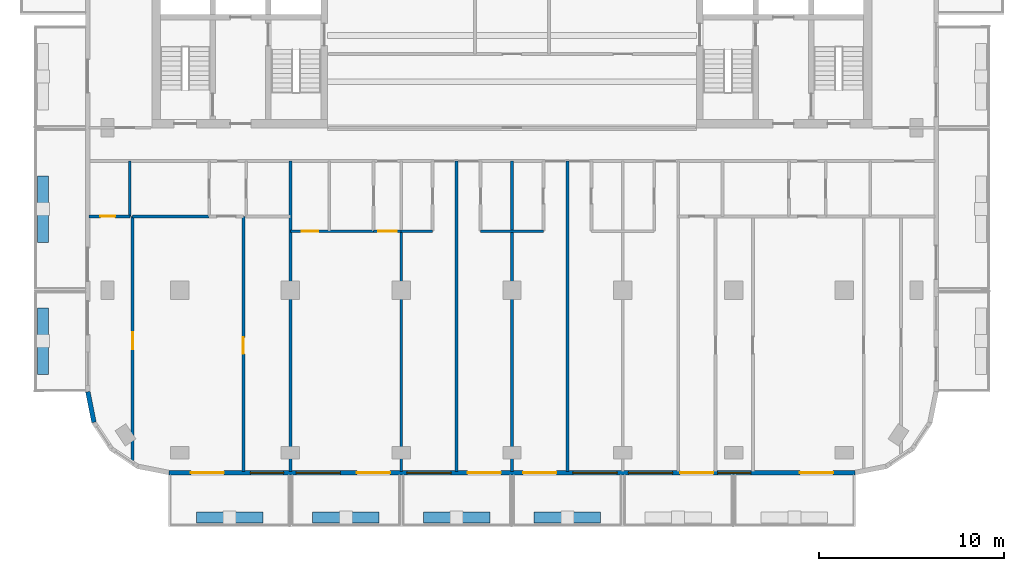
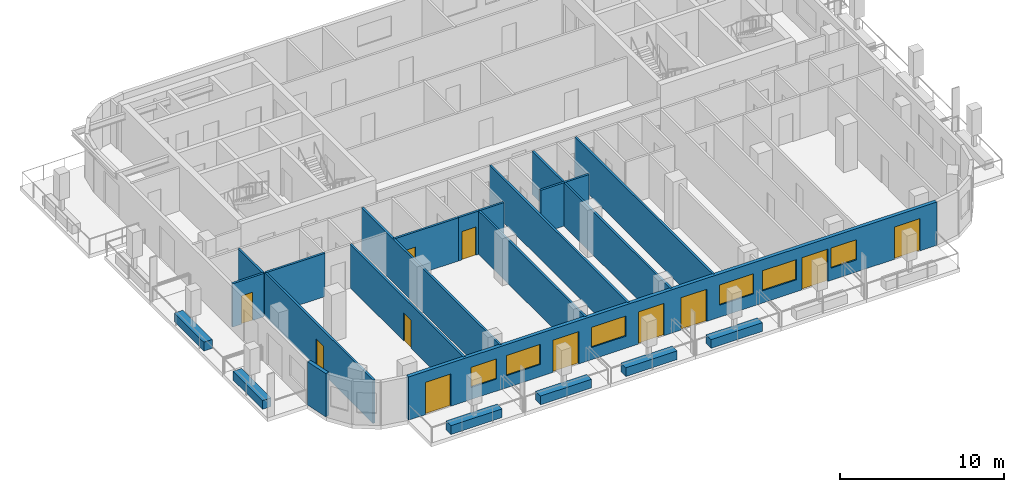
# One storey, part 2 of 11: 22 walls, 11 doors, 6 windows, 17 openings.
"""IFC4 building model written with IfcOpenShell, lengths in metres."""

from ifc_helpers import new_model, si_unit, direction, frame, frame_2d, origin, place, context, subcontext, project, spatial, rectangle, extrude, material, layer, layer_set, type_object, element, fill, save


model = new_model("IFC4")

# Units and contexts
model_context = context("Model", 3, precision=1e-05, world=origin(), true_north=direction((0.0, 1.0)))
body_context = subcontext(model_context, "Body", "Model", "MODEL_VIEW")
ifc_project = project(units=[si_unit("LENGTHUNIT", "METRE"), si_unit("AREAUNIT", "SQUARE_METRE"), si_unit("VOLUMEUNIT", "CUBIC_METRE"), si_unit("PLANEANGLEUNIT", "RADIAN"), si_unit("MASSUNIT", "GRAM", prefix="KILO")], contexts=[model_context])

# Site, building, storey
site_placement = place(None, origin())
site = spatial("IfcSite", under=ifc_project, at=site_placement, CompositionType="ELEMENT")
building_placement = place(site_placement, origin())
building = spatial("IfcBuilding", under=site, at=building_placement, Name="Torana Hotel and Residences", CompositionType="ELEMENT")
storey_placement = place(building_placement, frame((0.0, 0.0, 259.60009765625)))
storey = spatial("IfcBuildingStorey", under=building, at=storey_placement, Name="L68", CompositionType="ELEMENT", Elevation=259.60009765625)

# Wall
ifc_material_1 = material(Name="Black aluminium composite panel", Category="aluminium")
ifc_layer_1 = layer(ifc_material_1, 0.00390625, Name="Cladding", Category="cladding")
ifc_material_2 = material(Name="Ventilated air cavity")
ifc_layer_2 = layer(ifc_material_2, 0.0400390625, Name="Ventilated cavity", Category="cavity")
ifc_material_3 = material(Name="Mineral wool insulation")
ifc_layer_3 = layer(ifc_material_3, 0.090087890625, Name="Insulation", Category="insulation")
ifc_material_4 = material(Name="Steel S280GD", Category="steel")
ifc_layer_4 = layer(ifc_material_4, 0.092041015625, Name="Steel stud frame", Category="structure")
ifc_material_5 = material(Name="Fire rated plasterboard")
ifc_layer_5 = layer(ifc_material_5, 0.011962890625, Name="Inner board", Category="finish")
ifc_layer_6 = layer(ifc_material_5, 0.011962890625, Name="Second board", Category="finish")
ifc_layer_set_1 = layer_set([ifc_layer_1, ifc_layer_2, ifc_layer_3, ifc_layer_4, ifc_layer_5, ifc_layer_6], Name="EW1 EXTERNAL WALL BLACK METAL CLAD 250")
wall_type_1 = type_object("IfcWallType", Name="EW1 EXTERNAL WALL BLACK METAL CLAD 250", PredefinedType="SOLIDWALL", material=ifc_layer_set_1)
wall_1_placement = place(storey_placement, frame((-22.97265625, -29.2998046875, 0.0), z_axis=(0.0, 0.0, 1.0), x_axis=(0.19513878023, -0.980775640221, 0.0)))
element("IfcWall", 1, at=wall_1_placement, inside=storey, type_object=wall_type_1, Name="External wall L68 e0.10", PredefinedType="SOLIDWALL", context=body_context, shape_type="SweptSolid", body=[
    extrude(rectangle(XDim=1.681396484375, YDim=0.25, at=frame_2d((0.8408203125, 0.0))), origin(), (0.0, 0.0, 1.0), 3.219970703125),
])

# Wall, openings, doors, windows
wall_2_placement = place(storey_placement, frame((-18.575439453125, -33.675048828125, 0.0), z_axis=(0.0, 0.0, 1.0), x_axis=(1.0, 0.0, 0.0)))
wall_2 = element("IfcWall", 2, at=wall_2_placement, inside=storey, type_object=wall_type_1, Name="External wall L68 e0.14", PredefinedType="SOLIDWALL", context=body_context, shape_type="SweptSolid", body=[
    extrude(rectangle(XDim=37.15087890625, YDim=0.25, at=frame_2d((18.575439453125, 0.0))), origin(), (0.0, 0.0, 1.0), 3.219970703125),
])
opening_1_placement = place(wall_2_placement, frame((1.17529296875, 0.0, 0.0)))
opening_1 = element("IfcOpeningElement", 3, at=opening_1_placement, cuts=wall_2, Name="Opening L68-E01", PredefinedType="OPENING", context=body_context, shape_type="SweptSolid", body=[
    extrude(rectangle(XDim=1.800048828125, YDim=2.39990234375, at=frame_2d((0.89990234375, 1.199951171875))), frame((0.0, 0.135009765625, 0.0), z_axis=(0.0, -1.0, 0.0), x_axis=(1.0, 0.0, 0.0)), (0.0, 0.0, 1.0), 0.27001953125),
])
opening_2_placement = place(wall_2_placement, frame((4.400390625, 0.0, 0.89990234375)))
opening_2 = element("IfcOpeningElement", 4, at=opening_2_placement, cuts=wall_2, Name="Opening W4", PredefinedType="OPENING", context=body_context, shape_type="SweptSolid", body=[
    extrude(rectangle(XDim=1.800048828125, YDim=1.5, at=frame_2d((0.89990234375, 0.75))), frame((0.0, 0.135009765625, 0.0), z_axis=(0.0, -1.0, 0.0), x_axis=(1.0, 0.0, 0.0)), (0.0, 0.0, 1.0), 0.27001953125),
])
opening_3_placement = place(wall_2_placement, frame((6.87548828125, 0.0, 0.89990234375)))
opening_3 = element("IfcOpeningElement", 5, at=opening_3_placement, cuts=wall_2, Name="Opening W3", PredefinedType="OPENING", context=body_context, shape_type="SweptSolid", body=[
    extrude(rectangle(XDim=2.39990234375, YDim=1.5, at=frame_2d((1.199951171875, 0.75))), frame((0.0, 0.135009765625, 0.0), z_axis=(0.0, -1.0, 0.0), x_axis=(1.0, 0.0, 0.0)), (0.0, 0.0, 1.0), 0.27001953125),
])
opening_4_placement = place(wall_2_placement, frame((10.17529296875, 0.0, 0.0)))
opening_4 = element("IfcOpeningElement", 6, at=opening_4_placement, cuts=wall_2, Name="Opening L68-E02", PredefinedType="OPENING", context=body_context, shape_type="SweptSolid", body=[
    extrude(rectangle(XDim=1.800048828125, YDim=2.39990234375, at=frame_2d((0.89990234375, 1.199951171875))), frame((0.0, 0.135009765625, 0.0), z_axis=(0.0, -1.0, 0.0), x_axis=(1.0, 0.0, 0.0)), (0.0, 0.0, 1.0), 0.27001953125),
])
opening_5_placement = place(wall_2_placement, frame((12.87548828125, 0.0, 0.89990234375)))
opening_5 = element("IfcOpeningElement", 7, at=opening_5_placement, cuts=wall_2, Name="Opening W3", PredefinedType="OPENING", context=body_context, shape_type="SweptSolid", body=[
    extrude(rectangle(XDim=2.39990234375, YDim=1.5, at=frame_2d((1.199951171875, 0.75))), frame((0.0, 0.135009765625, 0.0), z_axis=(0.0, -1.0, 0.0), x_axis=(1.0, 0.0, 0.0)), (0.0, 0.0, 1.0), 0.27001953125),
])
opening_6_placement = place(wall_2_placement, frame((16.17529296875, 0.0, 0.0)))
opening_6 = element("IfcOpeningElement", 8, at=opening_6_placement, cuts=wall_2, Name="Opening L68-E03", PredefinedType="OPENING", context=body_context, shape_type="SweptSolid", body=[
    extrude(rectangle(XDim=1.800048828125, YDim=2.39990234375, at=frame_2d((0.89990234375, 1.199951171875))), frame((0.0, 0.135009765625, 0.0), z_axis=(0.0, -1.0, 0.0), x_axis=(1.0, 0.0, 0.0)), (0.0, 0.0, 1.0), 0.27001953125),
])
opening_7_placement = place(wall_2_placement, frame((19.17529296875, 0.0, 0.0)))
opening_7 = element("IfcOpeningElement", 9, at=opening_7_placement, cuts=wall_2, Name="Opening L68-E04", PredefinedType="OPENING", context=body_context, shape_type="SweptSolid", body=[
    extrude(rectangle(XDim=1.800048828125, YDim=2.39990234375, at=frame_2d((0.89990234375, 1.199951171875))), frame((0.0, 0.135009765625, 0.0), z_axis=(0.0, -1.0, 0.0), x_axis=(1.0, 0.0, 0.0)), (0.0, 0.0, 1.0), 0.27001953125),
])
opening_8_placement = place(wall_2_placement, frame((21.87548828125, 0.0, 0.89990234375)))
opening_8 = element("IfcOpeningElement", 10, at=opening_8_placement, cuts=wall_2, Name="Opening W3", PredefinedType="OPENING", context=body_context, shape_type="SweptSolid", body=[
    extrude(rectangle(XDim=2.39990234375, YDim=1.5, at=frame_2d((1.199951171875, 0.75))), frame((0.0, 0.135009765625, 0.0), z_axis=(0.0, -1.0, 0.0), x_axis=(1.0, 0.0, 0.0)), (0.0, 0.0, 1.0), 0.27001953125),
])
opening_9_placement = place(wall_2_placement, frame((24.87548828125, 0.0, 0.89990234375)))
opening_9 = element("IfcOpeningElement", 11, at=opening_9_placement, cuts=wall_2, Name="Opening W3", PredefinedType="OPENING", context=body_context, shape_type="SweptSolid", body=[
    extrude(rectangle(XDim=2.39990234375, YDim=1.5, at=frame_2d((1.199951171875, 0.75))), frame((0.0, 0.135009765625, 0.0), z_axis=(0.0, -1.0, 0.0), x_axis=(1.0, 0.0, 0.0)), (0.0, 0.0, 1.0), 0.27001953125),
])
opening_10_placement = place(wall_2_placement, frame((27.6875, 0.0, 0.0)))
opening_10 = element("IfcOpeningElement", 12, at=opening_10_placement, cuts=wall_2, Name="Opening L68-E05", PredefinedType="OPENING", context=body_context, shape_type="SweptSolid", body=[
    extrude(rectangle(XDim=1.800048828125, YDim=2.39990234375, at=frame_2d((0.89990234375, 1.199951171875))), frame((0.0, 0.135009765625, 0.0), z_axis=(0.0, -1.0, 0.0), x_axis=(1.0, 0.0, 0.0)), (0.0, 0.0, 1.0), 0.27001953125),
])
opening_11_placement = place(wall_2_placement, frame((29.71337890625, 0.0, 0.89990234375)))
opening_11 = element("IfcOpeningElement", 13, at=opening_11_placement, cuts=wall_2, Name="Opening W4", PredefinedType="OPENING", context=body_context, shape_type="SweptSolid", body=[
    extrude(rectangle(XDim=1.800048828125, YDim=1.5, at=frame_2d((0.89990234375, 0.75))), frame((0.0, 0.135009765625, 0.0), z_axis=(0.0, -1.0, 0.0), x_axis=(1.0, 0.0, 0.0)), (0.0, 0.0, 1.0), 0.27001953125),
])
opening_12_placement = place(wall_2_placement, frame((34.17529296875, 0.0, 0.0)))
opening_12 = element("IfcOpeningElement", 14, at=opening_12_placement, cuts=wall_2, Name="Opening L68-E06", PredefinedType="OPENING", context=body_context, shape_type="SweptSolid", body=[
    extrude(rectangle(XDim=1.800048828125, YDim=2.39990234375, at=frame_2d((0.89990234375, 1.199951171875))), frame((0.0, 0.135009765625, 0.0), z_axis=(0.0, -1.0, 0.0), x_axis=(1.0, 0.0, 0.0)), (0.0, 0.0, 1.0), 0.27001953125),
])
ifc_material_6 = material(Name="Dark glass in black aluminium frame", Category="aluminium")
door_type_1 = type_object("IfcDoorType", Name="DB1 BALCONY DOOR 1800x2400", OperationType="DOUBLE_DOOR_SINGLE_SWING", PredefinedType="DOOR", material=ifc_material_6)
door_1_placement = place(opening_1_placement, origin())
door_1 = element("IfcDoor", 15, at=door_1_placement, inside=storey, type_object=door_type_1, Name="Balcony door L68", OperationType="DOUBLE_DOOR_SINGLE_SWING", OverallHeight=2.39990234375, OverallWidth=1.800048828125, PredefinedType="DOOR", context=body_context, shape_type="SweptSolid", body=[
    extrude(rectangle(XDim=1.800048828125, YDim=2.39990234375, at=frame_2d((0.89990234375, 1.199951171875))), frame((0.0, 0.02490234375, 0.0), z_axis=(0.0, -1.0, 0.0), x_axis=(1.0, 0.0, 0.0)), (0.0, 0.0, 1.0), 0.050048828125),
])
fill(opening_1, door_1)
door_2_placement = place(opening_4_placement, origin())
door_2 = element("IfcDoor", 16, at=door_2_placement, inside=storey, type_object=door_type_1, Name="Balcony door L68", OperationType="DOUBLE_DOOR_SINGLE_SWING", OverallHeight=2.39990234375, OverallWidth=1.800048828125, PredefinedType="DOOR", context=body_context, shape_type="SweptSolid", body=[
    extrude(rectangle(XDim=1.800048828125, YDim=2.39990234375, at=frame_2d((0.89990234375, 1.199951171875))), frame((0.0, 0.02490234375, 0.0), z_axis=(0.0, -1.0, 0.0), x_axis=(1.0, 0.0, 0.0)), (0.0, 0.0, 1.0), 0.050048828125),
])
fill(opening_4, door_2)
door_3_placement = place(opening_6_placement, origin())
door_3 = element("IfcDoor", 17, at=door_3_placement, inside=storey, type_object=door_type_1, Name="Balcony door L68", OperationType="DOUBLE_DOOR_SINGLE_SWING", OverallHeight=2.39990234375, OverallWidth=1.800048828125, PredefinedType="DOOR", context=body_context, shape_type="SweptSolid", body=[
    extrude(rectangle(XDim=1.800048828125, YDim=2.39990234375, at=frame_2d((0.89990234375, 1.199951171875))), frame((0.0, 0.02490234375, 0.0), z_axis=(0.0, -1.0, 0.0), x_axis=(1.0, 0.0, 0.0)), (0.0, 0.0, 1.0), 0.050048828125),
])
fill(opening_6, door_3)
door_4_placement = place(opening_7_placement, origin())
door_4 = element("IfcDoor", 18, at=door_4_placement, inside=storey, type_object=door_type_1, Name="Balcony door L68", OperationType="DOUBLE_DOOR_SINGLE_SWING", OverallHeight=2.39990234375, OverallWidth=1.800048828125, PredefinedType="DOOR", context=body_context, shape_type="SweptSolid", body=[
    extrude(rectangle(XDim=1.800048828125, YDim=2.39990234375, at=frame_2d((0.89990234375, 1.199951171875))), frame((0.0, 0.02490234375, 0.0), z_axis=(0.0, -1.0, 0.0), x_axis=(1.0, 0.0, 0.0)), (0.0, 0.0, 1.0), 0.050048828125),
])
fill(opening_7, door_4)
door_5_placement = place(opening_10_placement, origin())
door_5 = element("IfcDoor", 19, at=door_5_placement, inside=storey, type_object=door_type_1, Name="Balcony door L68", OperationType="DOUBLE_DOOR_SINGLE_SWING", OverallHeight=2.39990234375, OverallWidth=1.800048828125, PredefinedType="DOOR", context=body_context, shape_type="SweptSolid", body=[
    extrude(rectangle(XDim=1.800048828125, YDim=2.39990234375, at=frame_2d((0.89990234375, 1.199951171875))), frame((0.0, 0.02490234375, 0.0), z_axis=(0.0, -1.0, 0.0), x_axis=(1.0, 0.0, 0.0)), (0.0, 0.0, 1.0), 0.050048828125),
])
fill(opening_10, door_5)
door_6_placement = place(opening_12_placement, origin())
door_6 = element("IfcDoor", 20, at=door_6_placement, inside=storey, type_object=door_type_1, Name="Balcony door L68", OperationType="DOUBLE_DOOR_SINGLE_SWING", OverallHeight=2.39990234375, OverallWidth=1.800048828125, PredefinedType="DOOR", context=body_context, shape_type="SweptSolid", body=[
    extrude(rectangle(XDim=1.800048828125, YDim=2.39990234375, at=frame_2d((0.89990234375, 1.199951171875))), frame((0.0, 0.02490234375, 0.0), z_axis=(0.0, -1.0, 0.0), x_axis=(1.0, 0.0, 0.0)), (0.0, 0.0, 1.0), 0.050048828125),
])
fill(opening_12, door_6)
ifc_material_7 = material(Name="Dark glass in black aluminium frame", Category="aluminium")
window_type_1 = type_object("IfcWindowType", Name="W3 RESIDENCE WINDOW 2400x1500", PartitioningType="SINGLE_PANEL", PredefinedType="WINDOW", material=ifc_material_7)
window_1_placement = place(opening_3_placement, origin())
window_1 = element("IfcWindow", 21, at=window_1_placement, inside=storey, type_object=window_type_1, Name="Window L68", OverallHeight=1.5, OverallWidth=2.39990234375, PartitioningType="SINGLE_PANEL", PredefinedType="WINDOW", context=body_context, shape_type="SweptSolid", body=[
    extrude(rectangle(XDim=2.39990234375, YDim=1.5, at=frame_2d((1.199951171875, 0.75))), frame((0.0, 0.030029296875, 0.0), z_axis=(0.0, -1.0, 0.0), x_axis=(1.0, 0.0, 0.0)), (0.0, 0.0, 1.0), 0.06005859375),
])
fill(opening_3, window_1)
window_2_placement = place(opening_5_placement, origin())
window_2 = element("IfcWindow", 22, at=window_2_placement, inside=storey, type_object=window_type_1, Name="Window L68", OverallHeight=1.5, OverallWidth=2.39990234375, PartitioningType="SINGLE_PANEL", PredefinedType="WINDOW", context=body_context, shape_type="SweptSolid", body=[
    extrude(rectangle(XDim=2.39990234375, YDim=1.5, at=frame_2d((1.199951171875, 0.75))), frame((0.0, 0.030029296875, 0.0), z_axis=(0.0, -1.0, 0.0), x_axis=(1.0, 0.0, 0.0)), (0.0, 0.0, 1.0), 0.06005859375),
])
fill(opening_5, window_2)
window_3_placement = place(opening_8_placement, origin())
window_3 = element("IfcWindow", 23, at=window_3_placement, inside=storey, type_object=window_type_1, Name="Window L68", OverallHeight=1.5, OverallWidth=2.39990234375, PartitioningType="SINGLE_PANEL", PredefinedType="WINDOW", context=body_context, shape_type="SweptSolid", body=[
    extrude(rectangle(XDim=2.39990234375, YDim=1.5, at=frame_2d((1.199951171875, 0.75))), frame((0.0, 0.030029296875, 0.0), z_axis=(0.0, -1.0, 0.0), x_axis=(1.0, 0.0, 0.0)), (0.0, 0.0, 1.0), 0.06005859375),
])
fill(opening_8, window_3)
window_4_placement = place(opening_9_placement, origin())
window_4 = element("IfcWindow", 24, at=window_4_placement, inside=storey, type_object=window_type_1, Name="Window L68", OverallHeight=1.5, OverallWidth=2.39990234375, PartitioningType="SINGLE_PANEL", PredefinedType="WINDOW", context=body_context, shape_type="SweptSolid", body=[
    extrude(rectangle(XDim=2.39990234375, YDim=1.5, at=frame_2d((1.199951171875, 0.75))), frame((0.0, 0.030029296875, 0.0), z_axis=(0.0, -1.0, 0.0), x_axis=(1.0, 0.0, 0.0)), (0.0, 0.0, 1.0), 0.06005859375),
])
fill(opening_9, window_4)
ifc_material_8 = material(Name="Dark glass in black aluminium frame", Category="aluminium")
window_type_2 = type_object("IfcWindowType", Name="W4 RESIDENCE WINDOW NARROW 1800x1500", PartitioningType="SINGLE_PANEL", PredefinedType="WINDOW", material=ifc_material_8)
window_5_placement = place(opening_2_placement, origin())
window_5 = element("IfcWindow", 25, at=window_5_placement, inside=storey, type_object=window_type_2, Name="Window L68", OverallHeight=1.5, OverallWidth=1.800048828125, PartitioningType="SINGLE_PANEL", PredefinedType="WINDOW", context=body_context, shape_type="SweptSolid", body=[
    extrude(rectangle(XDim=1.800048828125, YDim=1.5, at=frame_2d((0.89990234375, 0.75))), frame((0.0, 0.030029296875, 0.0), z_axis=(0.0, -1.0, 0.0), x_axis=(1.0, 0.0, 0.0)), (0.0, 0.0, 1.0), 0.06005859375),
])
fill(opening_2, window_5)
window_6_placement = place(opening_11_placement, origin())
window_6 = element("IfcWindow", 26, at=window_6_placement, inside=storey, type_object=window_type_2, Name="Window L68", OverallHeight=1.5, OverallWidth=1.800048828125, PartitioningType="SINGLE_PANEL", PredefinedType="WINDOW", context=body_context, shape_type="SweptSolid", body=[
    extrude(rectangle(XDim=1.800048828125, YDim=1.5, at=frame_2d((0.89990234375, 0.75))), frame((0.0, 0.030029296875, 0.0), z_axis=(0.0, -1.0, 0.0), x_axis=(1.0, 0.0, 0.0)), (0.0, 0.0, 1.0), 0.06005859375),
])
fill(opening_11, window_6)

# Wall, opening, door
ifc_material_9 = material(Name="Gypsum plaster")
ifc_layer_7 = layer(ifc_material_9, 0.014892578125, Name="Plaster", Category="finish")
ifc_material_10 = material(Name="Concrete blockwork", Category="masonry")
ifc_layer_8 = layer(ifc_material_10, 0.1201171875, Name="Blockwork", Category="structure")
ifc_layer_9 = layer(ifc_material_9, 0.014892578125, Name="Plaster", Category="finish")
ifc_layer_set_2 = layer_set([ifc_layer_7, ifc_layer_8, ifc_layer_9], Name="FIRE PARTITION 150 BLOCKWORK")
wall_type_2 = type_object("IfcWallType", Name="FIRE PARTITION 150 BLOCKWORK", PredefinedType="PARTITIONING", material=ifc_layer_set_2)
wall_3_placement = place(storey_placement, frame((-7.5, -20.60009765625, 0.0), z_axis=(0.0, 0.0, 1.0), x_axis=(1.0, 0.0, 0.0)))
wall_3 = element("IfcWall", 27, at=wall_3_placement, inside=storey, type_object=wall_type_2, Name="Partition L68", PredefinedType="PARTITIONING", context=body_context, shape_type="SweptSolid", body=[
    extrude(rectangle(XDim=1.5, YDim=0.14990234375, at=frame_2d((0.75, 0.0))), origin(), (0.0, 0.0, 1.0), 3.219970703125),
])
opening_13_placement = place(wall_3_placement, frame((0.25, 0.0, 0.0)))
opening_13 = element("IfcOpeningElement", 28, at=opening_13_placement, cuts=wall_3, Name="Opening L68-41", PredefinedType="OPENING", context=body_context, shape_type="SweptSolid", body=[
    extrude(rectangle(XDim=1.0, YDim=2.10009765625, at=frame_2d((0.5, 1.050048828125))), frame((0.0, 0.0849609375, 0.0), z_axis=(0.0, -1.0, 0.0), x_axis=(1.0, 0.0, 0.0)), (0.0, 0.0, 1.0), 0.169921875),
])
ifc_material_11 = material(Name="Steel S235", Category="steel")
door_type_2 = type_object("IfcDoorType", Name="ENTRY FIRE DOOR D6 1000x2100", OperationType="SINGLE_SWING_LEFT", PredefinedType="DOOR", material=ifc_material_11)
door_7_placement = place(opening_13_placement, frame((0.5, 0.0, 0.0), z_axis=(0.0, 0.0, 1.0), x_axis=(-1.0, 0.0, 0.0)))
door_7 = element("IfcDoor", 29, at=door_7_placement, inside=storey, type_object=door_type_2, Name="Door L68", OperationType="SINGLE_SWING_RIGHT", OverallHeight=2.10009765625, OverallWidth=1.0, PredefinedType="DOOR", context=body_context, shape_type="SweptSolid", body=[
    extrude(rectangle(XDim=1.0, YDim=2.10009765625, at=frame_2d((0.0, 1.050048828125))), frame((0.0, -0.02490234375, 0.0), z_axis=(0.0, 1.0, 0.0), x_axis=(-1.0, 0.0, 0.0)), (0.0, 0.0, 1.0), 0.050048828125),
])
fill(opening_13, door_7)

# Walls
ifc_material_12 = material(Name="Gypsum plasterboard")
ifc_layer_10 = layer(ifc_material_12, 0.012451171875, Name="Plasterboard", Category="finish")
ifc_layer_11 = layer(ifc_material_12, 0.012451171875, Name="Plasterboard", Category="finish")
ifc_layer_12 = layer(ifc_material_4, 0.10009765625, Name="Steel studs with mineral wool", Category="insulation")
ifc_layer_13 = layer(ifc_material_12, 0.012451171875, Name="Plasterboard", Category="finish")
ifc_layer_14 = layer(ifc_material_12, 0.012451171875, Name="Plasterboard", Category="finish")
ifc_layer_set_3 = layer_set([ifc_layer_10, ifc_layer_11, ifc_layer_12, ifc_layer_13, ifc_layer_14], Name="PARTITION 150 PLASTERBOARD")
wall_type_3 = type_object("IfcWallType", Name="PARTITION 150 PLASTERBOARD", PredefinedType="PARTITIONING", material=ifc_layer_set_3)
for number, where, z_axis, x_axis, name in (
    (30, (3.0, -33.6201171875, 0.0), (0.0, 0.0, 1.0), (0.0, 1.0, 0.0), "Partition L68"),
    (31, (0.0, -33.6201171875, 0.0), (0.0, 0.0, 1.0), (0.0, 1.0, 0.0), "Partition L68"),
    (32, (-3.0, -33.6201171875, 0.0), (0.0, 0.0, 1.0), (0.0, 1.0, 0.0), "Partition L68"),
):
    element("IfcWall", number, at=place(storey_placement, frame(where, z_axis=z_axis, x_axis=x_axis)), inside=storey, type_object=wall_type_3, Name=name, PredefinedType="PARTITIONING", context=body_context, shape_type="SweptSolid", body=[
        extrude(rectangle(XDim=16.820068359375, YDim=0.14990234375, at=frame_2d((8.41015625, 0.0))), origin(), (0.0, 0.0, 1.0), 3.219970703125),
    ])
wall_4_placement = place(storey_placement, frame((-6.0, -33.6201171875, 0.0), z_axis=(0.0, 0.0, 1.0), x_axis=(0.0, 1.0, 0.0)))
element("IfcWall", 33, at=wall_4_placement, inside=storey, type_object=wall_type_3, Name="Partition L68", PredefinedType="PARTITIONING", context=body_context, shape_type="SweptSolid", body=[
    extrude(rectangle(XDim=13.02001953125, YDim=0.14990234375, at=frame_2d((6.510009765625, 0.0))), origin(), (0.0, 0.0, 1.0), 3.219970703125),
])
wall_5_placement = place(storey_placement, frame((-12.0, -33.6201171875, 0.0), z_axis=(0.0, 0.0, 1.0), x_axis=(0.0, 1.0, 0.0)))
element("IfcWall", 34, at=wall_5_placement, inside=storey, type_object=wall_type_3, Name="Partition L68", PredefinedType="PARTITIONING", context=body_context, shape_type="SweptSolid", body=[
    extrude(rectangle(XDim=16.820068359375, YDim=0.14990234375, at=frame_2d((8.41015625, 0.0))), origin(), (0.0, 0.0, 1.0), 3.219970703125),
])

# Wall, opening, door
wall_6_placement = place(storey_placement, frame((-14.550048828125, -33.6201171875, 0.0), z_axis=(0.0, 0.0, 1.0), x_axis=(0.0, 1.0, 0.0)))
wall_6 = element("IfcWall", 35, at=wall_6_placement, inside=storey, type_object=wall_type_3, Name="Partition L68", PredefinedType="PARTITIONING", context=body_context, shape_type="SweptSolid", body=[
    extrude(rectangle(XDim=13.820068359375, YDim=0.14990234375, at=frame_2d((6.91015625, 0.0))), origin(), (0.0, 0.0, 1.0), 3.219970703125),
])
opening_14_placement = place(wall_6_placement, frame((6.3701171875, 0.0, 0.0)))
opening_14 = element("IfcOpeningElement", 36, at=opening_14_placement, cuts=wall_6, Name="Opening L68-51", PredefinedType="OPENING", context=body_context, shape_type="SweptSolid", body=[
    extrude(rectangle(XDim=0.89990234375, YDim=2.10009765625, at=frame_2d((0.449951171875, 1.050048828125))), frame((0.0, 0.0849609375, 0.0), z_axis=(0.0, -1.0, 0.0), x_axis=(1.0, 0.0, 0.0)), (0.0, 0.0, 1.0), 0.169921875),
])
ifc_material_13 = material(Name="Timber door, oiled ash", Category="wood")
door_type_3 = type_object("IfcDoorType", Name="ROOM DOOR D7 900x2100", OperationType="SINGLE_SWING_LEFT", PredefinedType="DOOR", material=ifc_material_13)
door_8_placement = place(opening_14_placement, origin())
door_8 = element("IfcDoor", 37, at=door_8_placement, inside=storey, type_object=door_type_3, Name="Door L68", OperationType="SINGLE_SWING_RIGHT", OverallHeight=2.10009765625, OverallWidth=0.89990234375, PredefinedType="DOOR", context=body_context, shape_type="SweptSolid", body=[
    extrude(rectangle(XDim=0.89990234375, YDim=2.10009765625, at=frame_2d((0.449951171875, 1.050048828125))), frame((0.0, 0.02490234375, 0.0), z_axis=(0.0, -1.0, 0.0), x_axis=(1.0, 0.0, 0.0)), (0.0, 0.0, 1.0), 0.050048828125),
])
fill(opening_14, door_8)

wall_7_placement = place(storey_placement, frame((-20.550048828125, -33.0166015625, 0.0), z_axis=(0.0, 0.0, 1.0), x_axis=(0.0, 1.0, 0.0)))
wall_7 = element("IfcWall", 38, at=wall_7_placement, inside=storey, type_object=wall_type_3, Name="Partition L68", PredefinedType="PARTITIONING", context=body_context, shape_type="SweptSolid", body=[
    extrude(rectangle(XDim=13.216552734375, YDim=0.14990234375, at=frame_2d((6.6083984375, 0.0))), origin(), (0.0, 0.0, 1.0), 3.219970703125),
])
opening_15_placement = place(wall_7_placement, frame((6.031494140625, 0.0, 0.0)))
opening_15 = element("IfcOpeningElement", 39, at=opening_15_placement, cuts=wall_7, Name="Opening L68-52", PredefinedType="OPENING", context=body_context, shape_type="SweptSolid", body=[
    extrude(rectangle(XDim=0.89990234375, YDim=2.10009765625, at=frame_2d((0.449951171875, 1.050048828125))), frame((0.0, 0.0849609375, 0.0), z_axis=(0.0, -1.0, 0.0), x_axis=(1.0, 0.0, 0.0)), (0.0, 0.0, 1.0), 0.169921875),
])
door_9_placement = place(opening_15_placement, origin())
door_9 = element("IfcDoor", 40, at=door_9_placement, inside=storey, type_object=door_type_3, Name="Door L68", OperationType="SINGLE_SWING_RIGHT", OverallHeight=2.10009765625, OverallWidth=0.89990234375, PredefinedType="DOOR", context=body_context, shape_type="SweptSolid", body=[
    extrude(rectangle(XDim=0.89990234375, YDim=2.10009765625, at=frame_2d((0.449951171875, 1.050048828125))), frame((0.0, 0.02490234375, 0.0), z_axis=(0.0, -1.0, 0.0), x_axis=(1.0, 0.0, 0.0)), (0.0, 0.0, 1.0), 0.050048828125),
])
fill(opening_15, door_9)

# Wall
wall_8_placement = place(storey_placement, frame((-20.699951171875, -19.800048828125, 0.0), z_axis=(0.0, 0.0, 1.0), x_axis=(0.0, 1.0, 0.0)))
element("IfcWall", 41, at=wall_8_placement, inside=storey, type_object=wall_type_3, Name="Partition L68", PredefinedType="PARTITIONING", context=body_context, shape_type="SweptSolid", body=[
    extrude(rectangle(XDim=3.0, YDim=0.14990234375, at=frame_2d((1.5, 0.0))), origin(), (0.0, 0.0, 1.0), 3.219970703125),
])

# Wall, opening, door
wall_9_placement = place(storey_placement, frame((-12.0, -20.60009765625, 0.0), z_axis=(0.0, 0.0, 1.0), x_axis=(1.0, 0.0, 0.0)))
wall_9 = element("IfcWall", 42, at=wall_9_placement, inside=storey, type_object=wall_type_3, Name="Partition L68", PredefinedType="PARTITIONING", context=body_context, shape_type="SweptSolid", body=[
    extrude(rectangle(XDim=4.5, YDim=0.14990234375, at=frame_2d((2.25, 0.0))), origin(), (0.0, 0.0, 1.0), 3.219970703125),
])
opening_16_placement = place(wall_9_placement, frame((0.60009765625, 0.0, 0.0)))
opening_16 = element("IfcOpeningElement", 43, at=opening_16_placement, cuts=wall_9, Name="Opening L68-39", PredefinedType="OPENING", context=body_context, shape_type="SweptSolid", body=[
    extrude(rectangle(XDim=0.89990234375, YDim=2.10009765625, at=frame_2d((0.449951171875, 1.050048828125))), frame((0.0, 0.0849609375, 0.0), z_axis=(0.0, -1.0, 0.0), x_axis=(1.0, 0.0, 0.0)), (0.0, 0.0, 1.0), 0.169921875),
])
door_10_placement = place(opening_16_placement, origin())
door_10 = element("IfcDoor", 44, at=door_10_placement, inside=storey, type_object=door_type_3, Name="Door L68", OperationType="SINGLE_SWING_RIGHT", OverallHeight=2.10009765625, OverallWidth=0.89990234375, PredefinedType="DOOR", context=body_context, shape_type="SweptSolid", body=[
    extrude(rectangle(XDim=0.89990234375, YDim=2.10009765625, at=frame_2d((0.449951171875, 1.050048828125))), frame((0.0, 0.02490234375, 0.0), z_axis=(0.0, -1.0, 0.0), x_axis=(1.0, 0.0, 0.0)), (0.0, 0.0, 1.0), 0.050048828125),
])
fill(opening_16, door_10)

# Walls
wall_10_placement = place(storey_placement, frame((-6.0, -20.60009765625, 0.0), z_axis=(0.0, 0.0, 1.0), x_axis=(1.0, 0.0, 0.0)))
element("IfcWall", 45, at=wall_10_placement, inside=storey, type_object=wall_type_3, Name="Partition L68", PredefinedType="PARTITIONING", context=body_context, shape_type="SweptSolid", body=[
    extrude(rectangle(XDim=1.699951171875, YDim=0.14990234375, at=frame_2d((0.85009765625, 0.0))), origin(), (0.0, 0.0, 1.0), 3.219970703125),
])
wall_11_placement = place(storey_placement, frame((-1.699951171875, -20.60009765625, 0.0), z_axis=(0.0, 0.0, 1.0), x_axis=(1.0, 0.0, 0.0)))
element("IfcWall", 46, at=wall_11_placement, inside=storey, type_object=wall_type_3, Name="Partition L68", PredefinedType="PARTITIONING", context=body_context, shape_type="SweptSolid", body=[
    extrude(rectangle(XDim=3.39990234375, YDim=0.14990234375, at=frame_2d((1.699951171875, 0.0))), origin(), (0.0, 0.0, 1.0), 3.219970703125),
])

# Wall, opening, door
wall_12_placement = place(storey_placement, frame((-22.919921875, -19.800048828125, 0.0), z_axis=(0.0, 0.0, 1.0), x_axis=(1.0, 0.0, 0.0)))
wall_12 = element("IfcWall", 47, at=wall_12_placement, inside=storey, type_object=wall_type_3, Name="Partition L68", PredefinedType="PARTITIONING", context=body_context, shape_type="SweptSolid", body=[
    extrude(rectangle(XDim=2.219970703125, YDim=0.14990234375, at=frame_2d((1.10986328125, 0.0))), origin(), (0.0, 0.0, 1.0), 3.219970703125),
])
opening_17_placement = place(wall_12_placement, frame((0.6201171875, 0.0, 0.0)))
opening_17 = element("IfcOpeningElement", 48, at=opening_17_placement, cuts=wall_12, Name="Opening L68-50", PredefinedType="OPENING", context=body_context, shape_type="SweptSolid", body=[
    extrude(rectangle(XDim=0.800048828125, YDim=2.10009765625, at=frame_2d((0.39990234375, 1.050048828125))), frame((0.0, 0.0849609375, 0.0), z_axis=(0.0, -1.0, 0.0), x_axis=(1.0, 0.0, 0.0)), (0.0, 0.0, 1.0), 0.169921875),
])
ifc_material_14 = material(Name="Timber door, painted", Category="wood")
door_type_4 = type_object("IfcDoorType", Name="BATH DOOR D13 800x2100", OperationType="SINGLE_SWING_LEFT", PredefinedType="DOOR", material=ifc_material_14)
door_11_placement = place(opening_17_placement, origin())
door_11 = element("IfcDoor", 49, at=door_11_placement, inside=storey, type_object=door_type_4, Name="Door L68", OperationType="SINGLE_SWING_RIGHT", OverallHeight=2.10009765625, OverallWidth=0.800048828125, PredefinedType="DOOR", context=body_context, shape_type="SweptSolid", body=[
    extrude(rectangle(XDim=0.800048828125, YDim=2.10009765625, at=frame_2d((0.39990234375, 1.050048828125))), frame((0.0, 0.02490234375, 0.0), z_axis=(0.0, -1.0, 0.0), x_axis=(1.0, 0.0, 0.0)), (0.0, 0.0, 1.0), 0.050048828125),
])
fill(opening_17, door_11)

# Walls
wall_13_placement = place(storey_placement, frame((-20.550048828125, -19.800048828125, 0.0), z_axis=(0.0, 0.0, 1.0), x_axis=(1.0, 0.0, 0.0)))
element("IfcWall", 50, at=wall_13_placement, inside=storey, type_object=wall_type_3, Name="Partition L68", PredefinedType="PARTITIONING", context=body_context, shape_type="SweptSolid", body=[
    extrude(rectangle(XDim=4.150146484375, YDim=0.14990234375, at=frame_2d((2.0751953125, 0.0))), origin(), (0.0, 0.0, 1.0), 3.219970703125),
])
ifc_material_15 = material(Name="Concrete C40/50 precast", Category="concrete")
ifc_layer_15 = layer(ifc_material_15, 0.10009765625, Name="Planter shell", Category="structure")
ifc_material_16 = material(Name="Root resistant membrane")
ifc_layer_16 = layer(ifc_material_16, 0.00390625, Name="Waterproofing membrane", Category="membrane")
ifc_material_17 = material(Name="Drainage board with filter fleece")
ifc_layer_17 = layer(ifc_material_17, 0.02001953125, Name="Drainage board", Category="drainage")
ifc_material_18 = material(Name="Growing medium")
ifc_layer_18 = layer(ifc_material_18, 0.47607421875, Name="Planting substrate", Category="soil")
ifc_layer_set_4 = layer_set([ifc_layer_15, ifc_layer_16, ifc_layer_17, ifc_layer_18], Name="PL1 BALCONY PLANTER 600")
wall_type_4 = type_object("IfcWallType", Name="PL1 BALCONY PLANTER 600", PredefinedType="USERDEFINED", material=ifc_layer_set_4)
for number, where, z_axis, x_axis, name in (
    (51, (-13.5, -36.10009765625, 0.0), (0.0, 0.0, 1.0), (-1.0, 0.0, 0.0), "Planter 01"),
    (52, (-7.199951171875, -36.10009765625, 0.0), (0.0, 0.0, 1.0), (-1.0, 0.0, 0.0), "Planter 02"),
    (53, (-1.199951171875, -36.10009765625, 0.0), (0.0, 0.0, 1.0), (-1.0, 0.0, 0.0), "Planter 03"),
    (54, (4.800048828125, -36.10009765625, 0.0), (0.0, 0.0, 1.0), (-1.0, 0.0, 0.0), "Planter 04"),
    (55, (-25.39990234375, -28.35009765625, 0.0), (0.0, 0.0, 1.0), (0.0, 1.0, 0.0), "Planter 07"),
):
    element("IfcWall", number, at=place(storey_placement, frame(where, z_axis=z_axis, x_axis=x_axis)), inside=storey, type_object=wall_type_4, Name=name, ObjectType="PLANTER", PredefinedType="USERDEFINED", context=body_context, shape_type="SweptSolid", body=[
        extrude(rectangle(XDim=3.60009765625, YDim=0.60009765625, at=frame_2d((1.800048828125, 0.0))), origin(), (0.0, 0.0, 1.0), 0.64990234375),
    ])
wall_14_placement = place(storey_placement, frame((-25.39990234375, -21.199951171875, 0.0), z_axis=(0.0, 0.0, 1.0), x_axis=(0.0, 1.0, 0.0)))
element("IfcWall", 56, at=wall_14_placement, inside=storey, type_object=wall_type_4, Name="Planter 08", ObjectType="PLANTER", PredefinedType="USERDEFINED", context=body_context, shape_type="SweptSolid", body=[
    extrude(rectangle(XDim=3.599853515625, YDim=0.60009765625, at=frame_2d((1.7998046875, 0.0))), origin(), (0.0, 0.0, 1.0), 0.64990234375),
])

save(model, "model.ifc")
